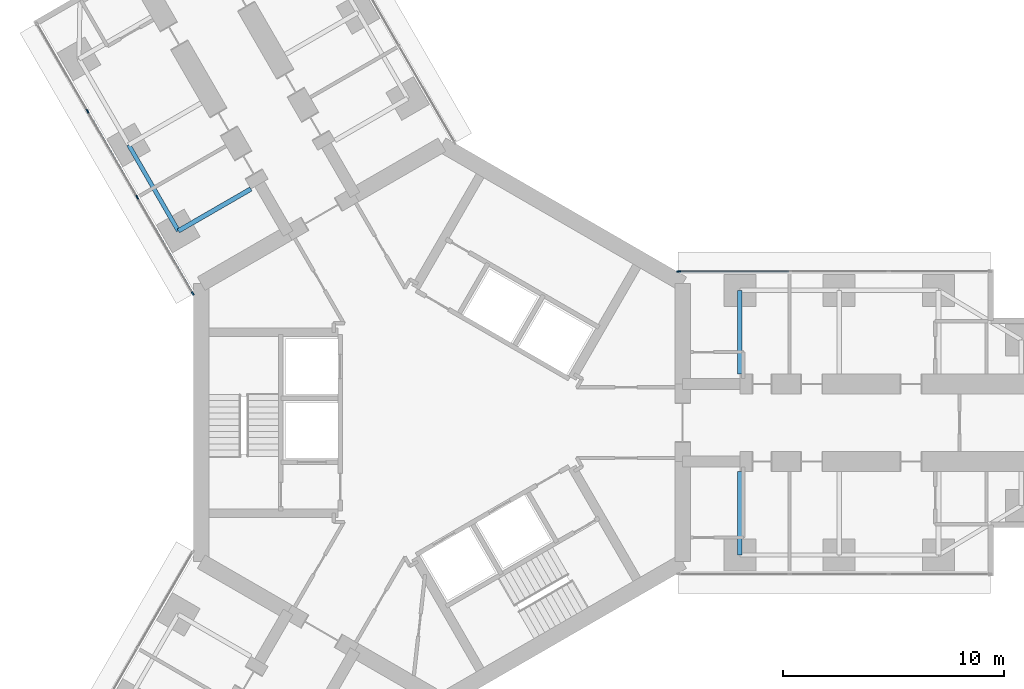
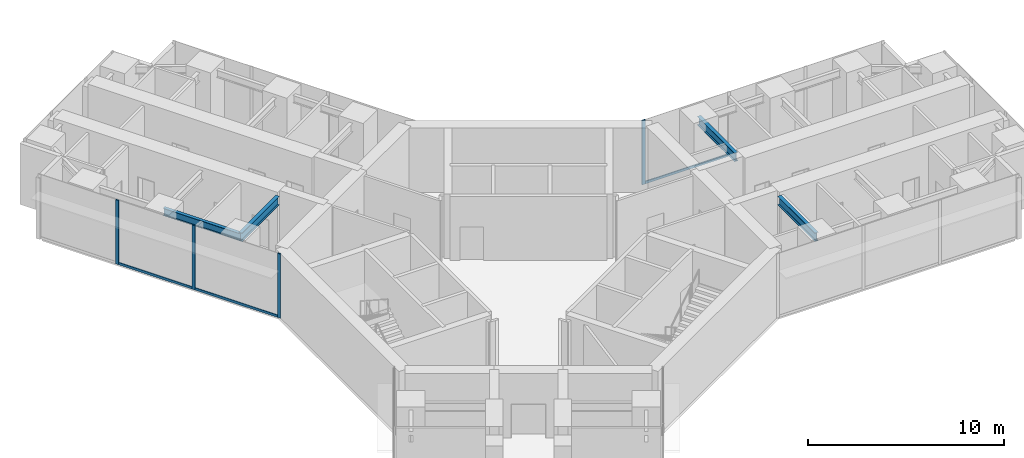
# One storey, part 6 of 24: 7 members, 4 beams, 2 elements without a shape of their own.
"""IFC4 building model written with IfcOpenShell, lengths in metres."""

from ifc_helpers import new_model, si_unit, direction, frame, origin, origin_2d, place, context, subcontext, project, spatial, rectangle, i_section, extrude, material, material_profile, profile_set, type_object, element, aggregate, save


model = new_model("IFC4")

# Units and contexts
model_context = context("Model", 3, precision=1e-05, world=origin(), true_north=direction((0.0, 1.0)))
body_context = subcontext(model_context, "Body", "Model", "MODEL_VIEW")
ifc_project = project(units=[si_unit("LENGTHUNIT", "METRE"), si_unit("AREAUNIT", "SQUARE_METRE"), si_unit("VOLUMEUNIT", "CUBIC_METRE"), si_unit("PLANEANGLEUNIT", "RADIAN"), si_unit("MASSUNIT", "GRAM", prefix="KILO")], contexts=[model_context])

# Site, building, storey
site_placement = place(None, origin())
site = spatial("IfcSite", under=ifc_project, at=site_placement, CompositionType="ELEMENT")
building_placement = place(site_placement, origin())
building = spatial("IfcBuilding", under=site, at=building_placement, Name="Upepo Twin Towers", CompositionType="ELEMENT")
storey_placement = place(building_placement, frame((0.0, 0.0, 52.5)))
storey = spatial("IfcBuildingStorey", under=building, at=storey_placement, Name="L12", CompositionType="ELEMENT", Elevation=52.5)

# Beams
ifc_material_1 = material(Name="Steel S355", Category="steel")
ifc_material_profile_1 = material_profile(ifc_material_1, i_section(OverallWidth=0.1904296875, OverallDepth=0.45703125, WebThickness=0.009033203125, FlangeThickness=0.014404296875, FilletRadius=0.01025390625, at=origin_2d()), Name="UB 457x191x74")
ifc_profile_set_1 = profile_set([ifc_material_profile_1], Name="Steel S355")
beam_type_1 = type_object("IfcBeamType", Name="Beam UB 457x191x74", PredefinedType="BEAM", material=ifc_profile_set_1)
beam_1_placement = place(storey_placement, frame((-11.946044921875, 8.69140625, 3.571533203125), z_axis=(-0.500013631625, 0.866017533419, 0.0), x_axis=(-0.866017533419, -0.500013631625, 0.0)))
element("IfcBeam", 1, at=beam_1_placement, inside=storey, type_object=beam_type_1, Name="T1 edge beam BL 13.5-18.0", PredefinedType="BEAM", context=body_context, shape_type="SweptSolid", body=[
    extrude(i_section(OverallWidth=0.1904296875, OverallDepth=0.45703125, WebThickness=0.009033203125, FlangeThickness=0.014404296875, FilletRadius=0.01025390625, at=origin_2d()), origin(), (0.0, 0.0, 1.0), 4.499755859375),
])
ifc_material_2 = material(Name="Steel S355", Category="steel")
ifc_material_profile_2 = material_profile(ifc_material_2, i_section(OverallWidth=0.209228515625, OverallDepth=0.533203125, WebThickness=0.010009765625, FlangeThickness=0.015625, FilletRadius=0.0126953125, at=origin_2d()), Name="UB 533x210x92")
ifc_profile_set_2 = profile_set([ifc_material_profile_2], Name="Steel S355")
beam_type_2 = type_object("IfcBeamType", Name="Beam UB 533x210x92", PredefinedType="BEAM", material=ifc_profile_set_2)
for number, where, z_axis, x_axis, name in (
    (2, (13.5, 6.0, 3.533447265625), (0.0, -1.0, 0.0), (1.0, 0.0, 0.0), "T1 girder AL at 13.5"),
    (3, (13.5, -6.0, 3.533447265625), (0.0, 1.0, 0.0), (-1.0, 0.0, 0.0), "T1 girder AR at 13.5"),
):
    element("IfcBeam", number, at=place(storey_placement, frame(where, z_axis=z_axis, x_axis=x_axis)), inside=storey, type_object=beam_type_2, Name=name, PredefinedType="BEAM", context=body_context, shape_type="SweptSolid", body=[
        extrude(i_section(OverallWidth=0.209228515625, OverallDepth=0.533203125, WebThickness=0.010009765625, FlangeThickness=0.015625, FilletRadius=0.0126953125, at=origin_2d()), origin(), (0.0, 0.0, 1.0), 3.800048828125),
    ])
beam_2_placement = place(storey_placement, frame((-11.946044921875, 8.69140625, 3.533447265625), z_axis=(0.866028304915, 0.499994975061, 0.0), x_axis=(-0.499994975061, 0.866028304915, 0.0)))
element("IfcBeam", 4, at=beam_2_placement, inside=storey, type_object=beam_type_2, Name="T1 girder BL at 13.5", PredefinedType="BEAM", context=body_context, shape_type="SweptSolid", body=[
    extrude(i_section(OverallWidth=0.209228515625, OverallDepth=0.533203125, WebThickness=0.010009765625, FlangeThickness=0.015625, FilletRadius=0.0126953125, at=origin_2d()), origin(), (0.0, 0.0, 1.0), 3.7998046875),
])

# Curtain wall, member
ifc_material_3 = material(Name="Aluminium and fritted glass", Category="aluminium")
curtain_wall_type = type_object("IfcCurtainWallType", Name="Tower curtain wall TW1, fritted glass", PredefinedType="NOTDEFINED", material=ifc_material_3)
curtain_wall_1_placement = place(storey_placement, origin())
curtain_wall_1 = element("IfcCurtainWall", 5, at=curtain_wall_1_placement, inside=storey, type_object=curtain_wall_type, Name="T1 L12 wing A flank L curtain wall", PredefinedType="NOTDEFINED")
ifc_material_4 = material(Name="Aluminium mullion", Category="aluminium")
ifc_material_profile_3 = material_profile(ifc_material_4, rectangle(XDim=0.06494140625, YDim=0.179931640625, at=origin_2d()), Name="MULLION 65x180")
ifc_profile_set_3 = profile_set([ifc_material_profile_3], Name="Aluminium mullion")
member_type_1 = type_object("IfcMemberType", Name="Mullion 65x180 TW1", PredefinedType="MULLION", material=ifc_profile_set_3)
member_1_placement = place(storey_placement, frame((10.7197265625, 6.85009765625, 0.0), z_axis=(0.0, 0.0, 1.0), x_axis=(0.0, 1.0, 0.0)))
member_1 = element("IfcMember", 6, at=member_1_placement, type_object=member_type_1, Name="T1 L12 wing A flank L curtain wall mullion 1", PredefinedType="MULLION", context=body_context, shape_type="SweptSolid", body=[
    extrude(rectangle(XDim=0.06494140625, YDim=0.179931640625, at=origin_2d()), origin(), (0.0, 0.0, 1.0), 4.0),
])

# Curtain wall, members
curtain_wall_2_placement = place(storey_placement, origin())
curtain_wall_2 = element("IfcCurtainWall", 7, at=curtain_wall_2_placement, inside=storey, type_object=curtain_wall_type, Name="T1 L12 wing B flank L curtain wall", PredefinedType="NOTDEFINED")
member_2_placement = place(storey_placement, frame((-11.2919921875, 5.8583984375, 0.0), z_axis=(0.0, 0.0, 1.0), x_axis=(-0.866025389682, -0.500000024426, 0.0)))
member_2 = element("IfcMember", 8, at=member_2_placement, type_object=member_type_1, Name="T1 L12 wing B flank L curtain wall mullion 1", PredefinedType="MULLION", context=body_context, shape_type="SweptSolid", body=[
    extrude(rectangle(XDim=0.06494140625, YDim=0.179931640625, at=origin_2d()), origin(), (0.0, 0.0, 1.0), 4.0),
])
member_3_placement = place(storey_placement, frame((-13.807373046875, 10.21484375, 0.0), z_axis=(0.0, 0.0, 1.0), x_axis=(-0.866025389682, -0.500000024426, 0.0)))
member_3 = element("IfcMember", 9, at=member_3_placement, type_object=member_type_1, Name="T1 L12 wing B flank L curtain wall mullion 2", PredefinedType="MULLION", context=body_context, shape_type="SweptSolid", body=[
    extrude(rectangle(XDim=0.06494140625, YDim=0.179931640625, at=origin_2d()), origin(), (0.0, 0.0, 1.0), 4.0),
])
member_4_placement = place(storey_placement, frame((-16.057373046875, 14.112060546875, 0.0), z_axis=(0.0, 0.0, 1.0), x_axis=(-0.866025389682, -0.500000024426, 0.0)))
member_4 = element("IfcMember", 10, at=member_4_placement, type_object=member_type_1, Name="T1 L12 wing B flank L curtain wall mullion 3", PredefinedType="MULLION", context=body_context, shape_type="SweptSolid", body=[
    extrude(rectangle(XDim=0.06494140625, YDim=0.179931640625, at=origin_2d()), origin(), (0.0, 0.0, 1.0), 4.0),
])

# Member
ifc_material_5 = material(Name="Aluminium transom", Category="aluminium")
ifc_material_profile_4 = material_profile(ifc_material_5, rectangle(XDim=0.06494140625, YDim=0.14990234375, at=origin_2d()), Name="TRANSOM 65x150")
ifc_profile_set_4 = profile_set([ifc_material_profile_4], Name="Aluminium transom")
member_type_2 = type_object("IfcMemberType", Name="Transom 65x150 TW1", PredefinedType="USERDEFINED", material=ifc_profile_set_4)
member_5_placement = place(storey_placement, frame((10.752197265625, 6.85009765625, 0.074951171875), z_axis=(1.0, 0.0, 0.0), x_axis=(0.0, 1.0, 0.0)))
member_5 = element("IfcMember", 11, at=member_5_placement, type_object=member_type_2, Name="T1 L12 wing A flank L curtain wall transom 1", ObjectType="TRANSOM", PredefinedType="USERDEFINED", context=body_context, shape_type="SweptSolid", body=[
    extrude(rectangle(XDim=0.06494140625, YDim=0.14990234375, at=origin_2d()), origin(), (0.0, 0.0, 1.0), 4.96533203125),
])

aggregate(curtain_wall_1, [member_1, member_5])

member_6_placement = place(storey_placement, frame((-11.308349609375, 5.88671875, 0.074951171875), z_axis=(-0.50000478328, 0.866022642139, 0.0), x_axis=(-0.866022642139, -0.50000478328, 0.0)))
member_6 = element("IfcMember", 12, at=member_6_placement, type_object=member_type_2, Name="T1 L12 wing B flank L curtain wall transom 1", ObjectType="TRANSOM", PredefinedType="USERDEFINED", context=body_context, shape_type="SweptSolid", body=[
    extrude(rectangle(XDim=0.06494140625, YDim=0.14990234375, at=origin_2d()), origin(), (0.0, 0.0, 1.0), 4.96533203125),
])

member_7_placement = place(storey_placement, frame((-13.823486328125, 10.2431640625, 0.074951171875), z_axis=(-0.500005184116, 0.866022410713, 0.0), x_axis=(-0.866022410713, -0.500005184116, 0.0)))
member_7 = element("IfcMember", 13, at=member_7_placement, type_object=member_type_2, Name="T1 L12 wing B flank L curtain wall transom 2", ObjectType="TRANSOM", PredefinedType="USERDEFINED", context=body_context, shape_type="SweptSolid", body=[
    extrude(rectangle(XDim=0.06494140625, YDim=0.14990234375, at=origin_2d()), origin(), (0.0, 0.0, 1.0), 4.43505859375),
])

aggregate(curtain_wall_2, [member_2, member_3, member_4, member_6, member_7])

save(model, "model.ifc")
